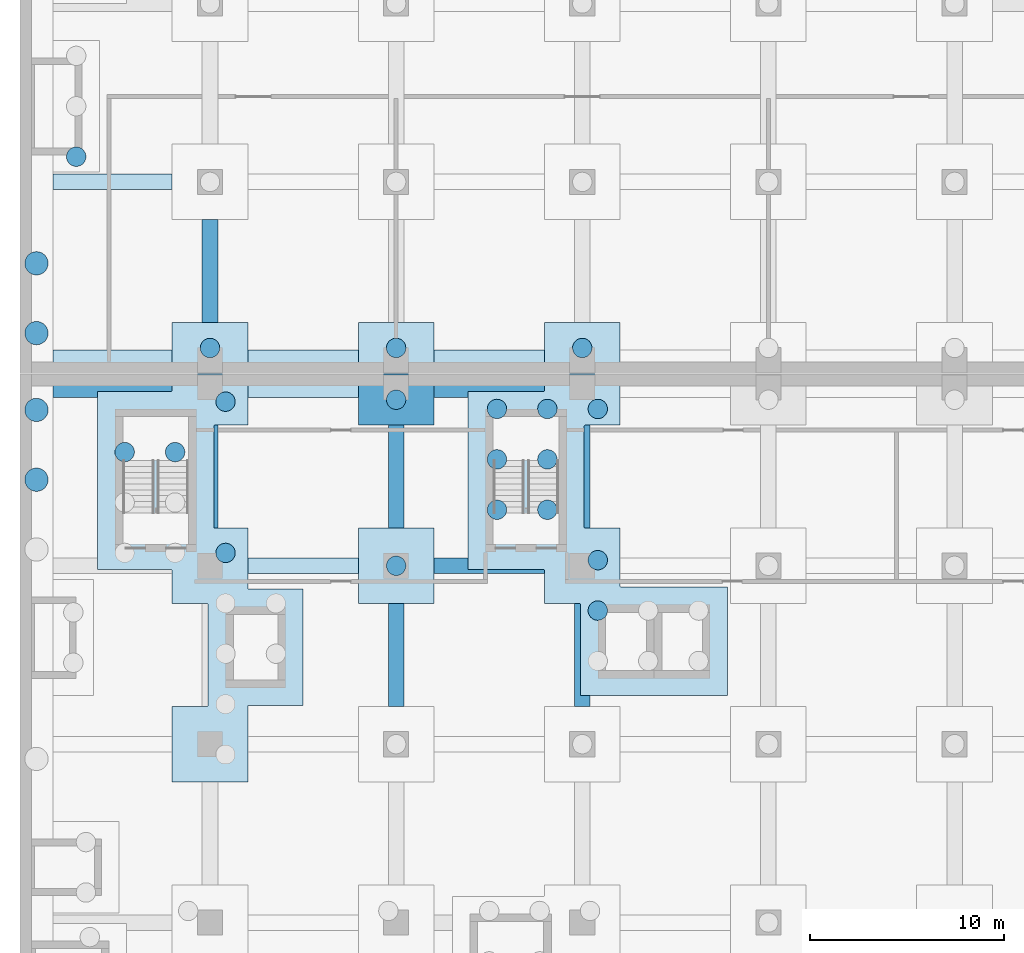
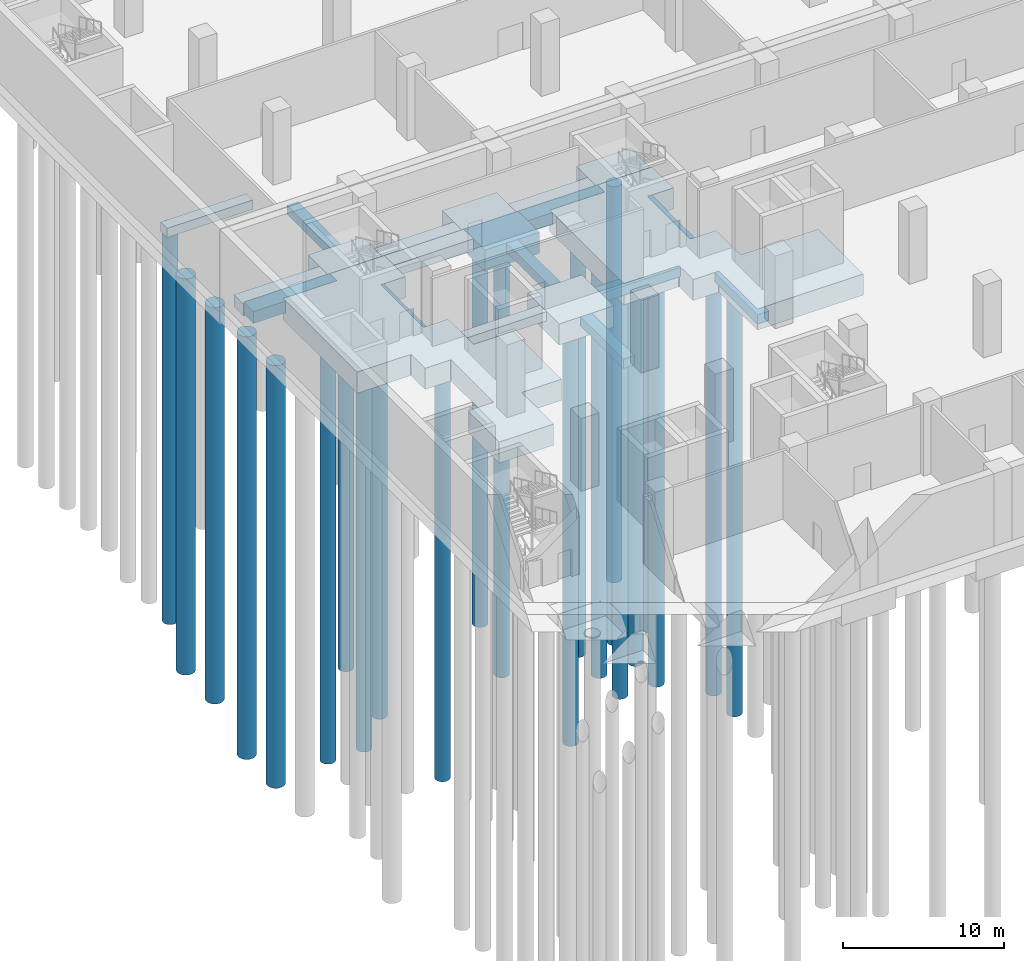
# One storey, part 3 of 33: 23 piles, 22 footings.
"""IFC4 building model written with IfcOpenShell, lengths in metres."""

from ifc_helpers import new_model, si_unit, direction, frame, origin, origin_2d, place, context, subcontext, project, spatial, polyline, circle, outline, extrude, material, layer, layer_set, material_profile, profile_set, type_object, element, save


model = new_model("IFC4")

# Units and contexts
model_context = context("Model", 3, precision=1e-05, world=origin(), true_north=direction((0.0, 1.0)))
body_context = subcontext(model_context, "Body", "Model", "MODEL_VIEW")
ifc_project = project(units=[si_unit("LENGTHUNIT", "METRE"), si_unit("AREAUNIT", "SQUARE_METRE"), si_unit("VOLUMEUNIT", "CUBIC_METRE"), si_unit("PLANEANGLEUNIT", "RADIAN"), si_unit("MASSUNIT", "GRAM", prefix="KILO")], contexts=[model_context])

# Site, building, storey
site_placement = place(None, origin())
site = spatial("IfcSite", under=ifc_project, at=site_placement, CompositionType="ELEMENT")
building_placement = place(site_placement, origin())
building = spatial("IfcBuilding", under=site, at=building_placement, Name="Nzadi Deep Aquarium and Research Tower", CompositionType="ELEMENT")
storey_placement = place(building_placement, frame((0.0, 0.0, -5.5)))
storey = spatial("IfcBuildingStorey", under=building, at=storey_placement, Name="B1", CompositionType="ELEMENT", Elevation=-5.5)

# Piles
ifc_material_1 = material(Name="Concrete C40/50", Category="concrete")
ifc_material_profile_1 = material_profile(ifc_material_1, circle(Radius=0.5, at=origin_2d()))
ifc_profile_set_1 = profile_set([ifc_material_profile_1], Name="Concrete C40/50")
pile_type_1 = type_object("IfcPileType", Name="Bored pile D1000", PredefinedType="BORED", material=ifc_profile_set_1)
for number, where, z_axis, x_axis, name in (
    (1, (5.199951171875, 42.6650390625, -2.10009765625), (0.0, 0.0, -1.0), (1.0, 0.0, 0.0), "P-Z1-17-3"),
    (2, (7.800048828125, 42.6650390625, -2.10009765625), (0.0, 0.0, -1.0), (1.0, 0.0, 0.0), "P-Z1-17-6"),
    (3, (10.39990234375, 37.465087890625, -2.10009765625), (0.0, 0.0, -1.0), (1.0, 0.0, 0.0), "P-Z1-17-11"),
    (4, (10.39990234375, 45.26513671875, -2.10009765625), (0.0, 0.0, -1.0), (1.0, 0.0, 0.0), "P-Z1-17-12"),
    (5, (24.39990234375, 39.68994140625, -2.10009765625), (0.0, 0.0, -1.0), (1.0, 0.0, 0.0), "P-Z1-23-1"),
    (6, (24.39990234375, 42.2900390625, -2.10009765625), (0.0, 0.0, -1.0), (1.0, 0.0, 0.0), "P-Z1-23-2"),
    (7, (24.39990234375, 44.89013671875, -2.10009765625), (0.0, 0.0, -1.0), (1.0, 0.0, 0.0), "P-Z1-23-3"),
    (8, (27.0, 39.68994140625, -2.10009765625), (0.0, 0.0, -1.0), (1.0, 0.0, 0.0), "P-Z1-23-4"),
    (9, (27.0, 42.2900390625, -2.10009765625), (0.0, 0.0, -1.0), (1.0, 0.0, 0.0), "P-Z1-23-5"),
    (10, (27.0, 44.89013671875, -2.10009765625), (0.0, 0.0, -1.0), (1.0, 0.0, 0.0), "P-Z1-23-6"),
    (11, (29.599853515625, 34.489990234375, -2.10009765625), (0.0, 0.0, -1.0), (1.0, 0.0, 0.0), "P-Z1-23-8"),
    (12, (29.599853515625, 37.090087890625, -2.10009765625), (0.0, 0.0, -1.0), (1.0, 0.0, 0.0), "P-Z1-23-9"),
    (13, (29.599853515625, 44.89013671875, -2.10009765625), (0.0, 0.0, -1.0), (1.0, 0.0, 0.0), "P-Z1-23-10"),
    (14, (19.199951171875, 36.800048828125, -2.10009765625), (0.0, 0.0, -1.0), (1.0, 0.0, 0.0), "P-Z1-24-1"),
    (15, (19.2001953125, 45.364990234375, -2.10009765625), (0.0, 0.0, -1.0), (1.0, 0.0, 0.0), "P-Z1-27-1"),
):
    element("IfcPile", number, at=place(storey_placement, frame(where, z_axis=z_axis, x_axis=x_axis)), inside=storey, type_object=pile_type_1, Name=name, PredefinedType="BORED", context=body_context, shape_type="SweptSolid", body=[
        extrude(circle(Radius=0.5, at=origin_2d()), origin(), (0.0, 0.0, 1.0), 32.0),
    ])
for number, where, z_axis, x_axis, name in (
    (16, (9.599853515625, 48.034912109375, -1.89990234375), (0.0, 0.0, -1.0), (1.0, 0.0, 0.0), "P-Z2-01-1"),
    (17, (19.199951171875, 48.034912109375, -1.89990234375), (0.0, 0.0, -1.0), (1.0, 0.0, 0.0), "P-Z2-02-1"),
    (18, (28.7998046875, 48.034912109375, -1.89990234375), (0.0, 0.0, -1.0), (1.0, 0.0, 0.0), "P-Z2-03-1"),
    (19, (2.699951171875, 57.89990234375, -1.89990234375), (0.0, 0.0, -1.0), (1.0, 0.0, 0.0), "P-Z2-11-1"),
):
    element("IfcPile", number, at=place(storey_placement, frame(where, z_axis=z_axis, x_axis=x_axis)), inside=storey, type_object=pile_type_1, Name=name, PredefinedType="BORED", context=body_context, shape_type="SweptSolid", body=[
        extrude(circle(Radius=0.5, at=origin_2d()), origin(), (0.0, 0.0, 1.0), 30.0),
    ])
ifc_material_2 = material(Name="Concrete C40/50", Category="concrete")
ifc_material_profile_2 = material_profile(ifc_material_2, circle(Radius=0.60009765625, at=origin_2d()))
ifc_profile_set_2 = profile_set([ifc_material_profile_2], Name="Concrete C40/50")
pile_type_2 = type_object("IfcPileType", Name="Bored pile D1200", PredefinedType="BORED", material=ifc_profile_set_2)
for number, where, z_axis, x_axis, name in (
    (20, (0.64990234375, 41.239990234375, -1.39990234375), (0.0, 0.0, -1.0), (1.0, 0.0, 0.0), "P-Z1-Z1-W-3"),
    (21, (0.64990234375, 44.840087890625, -1.39990234375), (0.0, 0.0, -1.0), (1.0, 0.0, 0.0), "P-Z1-Z1-W-4"),
):
    element("IfcPile", number, at=place(storey_placement, frame(where, z_axis=z_axis, x_axis=x_axis)), inside=storey, type_object=pile_type_2, Name=name, PredefinedType="BORED", context=body_context, shape_type="SweptSolid", body=[
        extrude(circle(Radius=0.60009765625, at=origin_2d()), origin(), (0.0, 0.0, 1.0), 32.0),
    ])
for number, where, z_axis, x_axis, name in (
    (22, (0.64990234375, 48.800048828125, -1.60009765625), (0.0, 0.0, -1.0), (1.0, 0.0, 0.0), "P-Z2-Z2-W-1"),
    (23, (0.64990234375, 52.39990234375, -1.60009765625), (0.0, 0.0, -1.0), (1.0, 0.0, 0.0), "P-Z2-Z2-W-2"),
):
    element("IfcPile", number, at=place(storey_placement, frame(where, z_axis=z_axis, x_axis=x_axis)), inside=storey, type_object=pile_type_2, Name=name, PredefinedType="BORED", context=body_context, shape_type="SweptSolid", body=[
        extrude(circle(Radius=0.60009765625, at=origin_2d()), origin(), (0.0, 0.0, 1.0), 30.0),
    ])

# Footings
ifc_material_3 = material(Name="Concrete C40/50", Category="concrete")
ifc_layer_1 = layer(ifc_material_3, 0.699951171875)
ifc_layer_set_1 = layer_set([ifc_layer_1], Name="Concrete C40/50")
footing_type_1 = type_object("IfcFootingType", Name="RC ground beam 700", PredefinedType="FOOTING_BEAM", material=ifc_layer_set_1)
footing_1_placement = place(storey_placement, frame((0.0, 0.0, -1.300048828125)))
element("IfcFooting", 24, at=footing_1_placement, inside=storey, type_object=footing_type_1, Name="SF-Z1-TX5-2", PredefinedType="FOOTING_BEAM", context=body_context, shape_type="SweptSolid", body=[
    extrude(outline(polyline([(17.25, 37.199951171875), (11.550048828125, 37.199951171875), (11.550048828125, 36.39990234375), (17.25, 36.39990234375), (17.25, 37.199951171875)])), origin(), (0.0, 0.0, 1.0), 0.699951171875),
])
footing_2_placement = place(storey_placement, frame((0.0, 0.0, -1.300048828125)))
element("IfcFooting", 25, at=footing_2_placement, inside=storey, type_object=footing_type_1, Name="SF-Z1-TX5-3", PredefinedType="FOOTING_BEAM", context=body_context, shape_type="SweptSolid", body=[
    extrude(outline(polyline([(22.89990234375, 37.199951171875), (21.14990234375, 37.199951171875), (21.14990234375, 36.39990234375), (26.85009765625, 36.39990234375), (26.85009765625, 36.550048828125), (26.849853515625, 36.554931640625), (26.84912109375, 36.559814453125), (26.847900390625, 36.564453125), (26.84619140625, 36.569091796875), (26.843994140625, 36.573486328125), (26.841552734375, 36.577880859375), (26.838623046875, 36.581787109375), (26.83544921875, 36.58544921875), (26.831787109375, 36.588623046875), (26.827880859375, 36.591552734375), (26.823486328125, 36.593994140625), (26.819091796875, 36.59619140625), (26.814453125, 36.597900390625), (26.809814453125, 36.59912109375), (26.804931640625, 36.599853515625), (26.800048828125, 36.60009765625), (22.901123046875, 36.60009765625), (22.900146484375, 36.60009765625), (22.89990234375, 36.601318359375), (22.89990234375, 37.199951171875)])), origin(), (0.0, 0.0, 1.0), 0.699951171875),
])
footing_3_placement = place(storey_placement, frame((0.0, 0.0, -1.300048828125)))
element("IfcFooting", 26, at=footing_3_placement, inside=storey, type_object=footing_type_1, Name="SF-Z1-TYB-5", PredefinedType="FOOTING_BEAM", context=body_context, shape_type="SweptSolid", body=[
    extrude(outline(polyline([(10.0, 38.75), (10.0, 44.050048828125), (9.85009765625, 44.050048828125), (9.84521484375, 44.0498046875), (9.84033203125, 44.049072265625), (9.83544921875, 44.0478515625), (9.830810546875, 44.046142578125), (9.826416015625, 44.044189453125), (9.822265625, 44.04150390625), (9.818359375, 44.03857421875), (9.814697265625, 44.035400390625), (9.811279296875, 44.03173828125), (9.808349609375, 44.02783203125), (9.805908203125, 44.023681640625), (9.8037109375, 44.01904296875), (9.80224609375, 44.014404296875), (9.801025390625, 44.009765625), (9.80029296875, 44.0048828125), (9.800048828125, 44.0), (9.800048828125, 38.800048828125), (9.80029296875, 38.795166015625), (9.801025390625, 38.790283203125), (9.80224609375, 38.785400390625), (9.8037109375, 38.78076171875), (9.805908203125, 38.7763671875), (9.808349609375, 38.772216796875), (9.811279296875, 38.768310546875), (9.814697265625, 38.7646484375), (9.818359375, 38.76123046875), (9.822265625, 38.758544921875), (9.826416015625, 38.755859375), (9.830810546875, 38.75390625), (9.83544921875, 38.752197265625), (9.84033203125, 38.7509765625), (9.84521484375, 38.750244140625), (9.85009765625, 38.75), (10.0, 38.75)])), origin(), (0.0, 0.0, 1.0), 0.699951171875),
])
footing_4_placement = place(storey_placement, frame((0.0, 0.0, -1.300048828125)))
element("IfcFooting", 27, at=footing_4_placement, inside=storey, type_object=footing_type_1, Name="SF-Z1-TYC-4", PredefinedType="FOOTING_BEAM", context=body_context, shape_type="SweptSolid", body=[
    extrude(outline(polyline([(19.60009765625, 29.550048828125), (19.60009765625, 34.85009765625), (18.800048828125, 34.85009765625), (18.800048828125, 29.550048828125), (19.60009765625, 29.550048828125)])), origin(), (0.0, 0.0, 1.0), 0.699951171875),
])
footing_5_placement = place(storey_placement, frame((0.0, 0.0, -1.300048828125)))
element("IfcFooting", 28, at=footing_5_placement, inside=storey, type_object=footing_type_1, Name="SF-Z1-TYC-5", PredefinedType="FOOTING_BEAM", context=body_context, shape_type="SweptSolid", body=[
    extrude(outline(polyline([(19.60009765625, 38.75), (19.60009765625, 44.050048828125), (18.800048828125, 44.050048828125), (18.800048828125, 38.75), (19.60009765625, 38.75)])), origin(), (0.0, 0.0, 1.0), 0.699951171875),
])
footing_6_placement = place(storey_placement, frame((0.0, 0.0, -1.300048828125)))
element("IfcFooting", 29, at=footing_6_placement, inside=storey, type_object=footing_type_1, Name="SF-Z1-TYD-4", PredefinedType="FOOTING_BEAM", context=body_context, shape_type="SweptSolid", body=[
    extrude(outline(polyline([(29.199951171875, 29.550048828125), (29.199951171875, 30.10009765625), (28.701171875, 30.10009765625), (28.699951171875, 30.10009765625), (28.699951171875, 30.101318359375), (28.699951171875, 34.800048828125), (28.69970703125, 34.804931640625), (28.698974609375, 34.809814453125), (28.69775390625, 34.814453125), (28.6962890625, 34.819091796875), (28.694091796875, 34.823486328125), (28.691650390625, 34.827880859375), (28.688720703125, 34.831787109375), (28.685302734375, 34.83544921875), (28.681640625, 34.838623046875), (28.677734375, 34.841552734375), (28.673583984375, 34.843994140625), (28.669189453125, 34.84619140625), (28.66455078125, 34.847900390625), (28.65966796875, 34.84912109375), (28.65478515625, 34.849853515625), (28.64990234375, 34.85009765625), (28.39990234375, 34.85009765625), (28.39990234375, 29.550048828125), (29.199951171875, 29.550048828125)])), origin(), (0.0, 0.0, 1.0), 0.699951171875),
])
footing_7_placement = place(storey_placement, frame((0.0, 0.0, -1.300048828125)))
element("IfcFooting", 30, at=footing_7_placement, inside=storey, type_object=footing_type_1, Name="SF-Z1-TYD-5", PredefinedType="FOOTING_BEAM", context=body_context, shape_type="SweptSolid", body=[
    extrude(outline(polyline([(29.199951171875, 38.75), (29.199951171875, 44.050048828125), (28.949951171875, 44.050048828125), (28.945068359375, 44.0498046875), (28.940185546875, 44.049072265625), (28.935546875, 44.0478515625), (28.930908203125, 44.046142578125), (28.926513671875, 44.044189453125), (28.922119140625, 44.04150390625), (28.918212890625, 44.03857421875), (28.91455078125, 44.035400390625), (28.911376953125, 44.03173828125), (28.908447265625, 44.02783203125), (28.906005859375, 44.023681640625), (28.90380859375, 44.01904296875), (28.902099609375, 44.014404296875), (28.90087890625, 44.009765625), (28.900146484375, 44.0048828125), (28.89990234375, 44.0), (28.89990234375, 38.800048828125), (28.900146484375, 38.795166015625), (28.90087890625, 38.790283203125), (28.902099609375, 38.785400390625), (28.90380859375, 38.78076171875), (28.906005859375, 38.7763671875), (28.908447265625, 38.772216796875), (28.911376953125, 38.768310546875), (28.91455078125, 38.7646484375), (28.918212890625, 38.76123046875), (28.922119140625, 38.758544921875), (28.926513671875, 38.755859375), (28.930908203125, 38.75390625), (28.935546875, 38.752197265625), (28.940185546875, 38.7509765625), (28.945068359375, 38.750244140625), (28.949951171875, 38.75), (29.199951171875, 38.75)])), origin(), (0.0, 0.0, 1.0), 0.699951171875),
])
footing_8_placement = place(storey_placement, frame((0.0, 0.0, -1.5)))
element("IfcFooting", 31, at=footing_8_placement, inside=storey, type_object=footing_type_1, Name="SF-Z2-TX8-1", PredefinedType="FOOTING_BEAM", context=body_context, shape_type="SweptSolid", body=[
    extrude(outline(polyline([(7.64990234375, 57.0), (1.5, 57.0), (1.5, 56.199951171875), (7.64990234375, 56.199951171875), (7.64990234375, 57.0)])), origin(), (0.0, 0.0, 1.0), 0.699951171875),
])
footing_9_placement = place(storey_placement, frame((0.0, 0.0, -1.5)))
element("IfcFooting", 32, at=footing_9_placement, inside=storey, type_object=footing_type_1, Name="SF-Z2-TYB-1", PredefinedType="FOOTING_BEAM", context=body_context, shape_type="SweptSolid", body=[
    extrude(outline(polyline([(10.0, 49.35009765625), (10.0, 54.64990234375), (9.199951171875, 54.64990234375), (9.199951171875, 49.35009765625), (10.0, 49.35009765625)])), origin(), (0.0, 0.0, 1.0), 0.699951171875),
])
ifc_material_4 = material(Name="Concrete C40/50", Category="concrete")
ifc_layer_2 = layer(ifc_material_4, 1.199951171875)
ifc_layer_set_2 = layer_set([ifc_layer_2], Name="Concrete C40/50")
footing_type_2 = type_object("IfcFootingType", Name="RC pile cap 1200", PredefinedType="PILE_CAP", material=ifc_layer_set_2)
footing_10_placement = place(storey_placement, frame((0.0, 0.0, -2.0)))
element("IfcFooting", 33, at=footing_10_placement, inside=storey, type_object=footing_type_2, Name="PC-Z2-01", PredefinedType="PILE_CAP", context=body_context, shape_type="SweptSolid", body=[
    extrude(outline(polyline([(7.64990234375, 49.348876953125), (7.64990234375, 46.719970703125), (11.550048828125, 46.719970703125), (11.550048828125, 49.348876953125), (11.550048828125, 49.349853515625), (11.548828125, 49.35009765625), (7.651123046875, 49.35009765625), (7.650146484375, 49.349853515625), (7.64990234375, 49.348876953125)])), origin(), (0.0, 0.0, 1.0), 1.199951171875),
])
footing_11_placement = place(storey_placement, frame((0.0, 0.0, -2.0)))
element("IfcFooting", 34, at=footing_11_placement, inside=storey, type_object=footing_type_2, Name="PC-Z2-02", PredefinedType="PILE_CAP", context=body_context, shape_type="SweptSolid", body=[
    extrude(outline(polyline([(17.25, 49.348876953125), (17.25, 46.719970703125), (21.14990234375, 46.719970703125), (21.14990234375, 49.348876953125), (21.14990234375, 49.349853515625), (21.148681640625, 49.35009765625), (17.251220703125, 49.35009765625), (17.25, 49.349853515625), (17.25, 49.348876953125)])), origin(), (0.0, 0.0, 1.0), 1.199951171875),
])
footing_12_placement = place(storey_placement, frame((0.0, 0.0, -2.0)))
element("IfcFooting", 35, at=footing_12_placement, inside=storey, type_object=footing_type_2, Name="PC-Z2-03", PredefinedType="PILE_CAP", context=body_context, shape_type="SweptSolid", body=[
    extrude(outline(polyline([(26.85009765625, 49.348876953125), (26.85009765625, 46.719970703125), (30.75, 46.719970703125), (30.75, 49.348876953125), (30.75, 49.349853515625), (30.748779296875, 49.35009765625), (26.851318359375, 49.35009765625), (26.85009765625, 49.349853515625), (26.85009765625, 49.348876953125)])), origin(), (0.0, 0.0, 1.0), 1.199951171875),
])
ifc_material_5 = material(Name="Concrete C40/50", Category="concrete")
ifc_layer_3 = layer(ifc_material_5, 1.60009765625)
ifc_layer_set_3 = layer_set([ifc_layer_3], Name="Concrete C40/50")
footing_type_3 = type_object("IfcFootingType", Name="RC pile cap 1600", PredefinedType="PILE_CAP", material=ifc_layer_set_3)
footing_13_placement = place(storey_placement, frame((0.0, 0.0, -2.199951171875)))
element("IfcFooting", 36, at=footing_13_placement, inside=storey, type_object=footing_type_3, Name="PC-Z1-17", PredefinedType="PILE_CAP", context=body_context, shape_type="SweptSolid", body=[
    extrude(outline(polyline([(3.800048828125, 45.798828125), (3.800048828125, 36.601318359375), (3.800048828125, 36.60009765625), (3.80126953125, 36.60009765625), (7.60009765625, 36.60009765625), (7.60498046875, 36.599853515625), (7.60986328125, 36.59912109375), (7.614501953125, 36.597900390625), (7.619140625, 36.59619140625), (7.62353515625, 36.593994140625), (7.627685546875, 36.591552734375), (7.6318359375, 36.588623046875), (7.63525390625, 36.58544921875), (7.638671875, 36.581787109375), (7.6416015625, 36.577880859375), (7.64404296875, 36.573486328125), (7.646240234375, 36.569091796875), (7.64794921875, 36.564453125), (7.64892578125, 36.559814453125), (7.649658203125, 36.554931640625), (7.64990234375, 36.550048828125), (7.64990234375, 34.851318359375), (7.650146484375, 34.85009765625), (7.651123046875, 34.85009765625), (9.449951171875, 34.85009765625), (9.454833984375, 34.849853515625), (9.459716796875, 34.84912109375), (9.464599609375, 34.847900390625), (9.46923828125, 34.84619140625), (9.4736328125, 34.843994140625), (9.477783203125, 34.841552734375), (9.481689453125, 34.838623046875), (9.4853515625, 34.83544921875), (9.48876953125, 34.831787109375), (9.491455078125, 34.827880859375), (9.494140625, 34.823486328125), (9.49609375, 34.819091796875), (9.497802734375, 34.814453125), (9.4990234375, 34.809814453125), (9.499755859375, 34.804931640625), (9.5, 34.800048828125), (9.5, 29.60009765625), (9.499755859375, 29.59521484375), (9.4990234375, 29.59033203125), (9.497802734375, 29.58544921875), (9.49609375, 29.580810546875), (9.494140625, 29.576416015625), (9.491455078125, 29.572265625), (9.48876953125, 29.568359375), (9.4853515625, 29.564697265625), (9.481689453125, 29.561279296875), (9.477783203125, 29.558349609375), (9.4736328125, 29.555908203125), (9.46923828125, 29.5537109375), (9.464599609375, 29.55224609375), (9.459716796875, 29.551025390625), (9.454833984375, 29.55029296875), (9.449951171875, 29.550048828125), (7.651123046875, 29.550048828125), (7.650146484375, 29.550048828125), (7.64990234375, 29.548828125), (7.64990234375, 25.651123046875), (7.650146484375, 25.650146484375), (7.651123046875, 25.64990234375), (11.548828125, 25.64990234375), (11.550048828125, 25.650146484375), (11.550048828125, 25.651123046875), (11.550048828125, 29.550048828125), (11.55029296875, 29.554931640625), (11.551025390625, 29.559814453125), (11.55224609375, 29.564453125), (11.5537109375, 29.569091796875), (11.555908203125, 29.573486328125), (11.558349609375, 29.577880859375), (11.561279296875, 29.581787109375), (11.564697265625, 29.58544921875), (11.568359375, 29.588623046875), (11.572265625, 29.591552734375), (11.576416015625, 29.593994140625), (11.580810546875, 29.59619140625), (11.58544921875, 29.597900390625), (11.59033203125, 29.59912109375), (11.59521484375, 29.599853515625), (11.60009765625, 29.60009765625), (14.398681640625, 29.60009765625), (14.39990234375, 29.60009765625), (14.39990234375, 29.601318359375), (14.39990234375, 35.598876953125), (14.39990234375, 35.599853515625), (14.398681640625, 35.60009765625), (11.60009765625, 35.60009765625), (11.59521484375, 35.600341796875), (11.59033203125, 35.60107421875), (11.58544921875, 35.60205078125), (11.580810546875, 35.603759765625), (11.576416015625, 35.60595703125), (11.572265625, 35.6083984375), (11.568359375, 35.611328125), (11.564697265625, 35.61474609375), (11.561279296875, 35.6181640625), (11.558349609375, 35.622314453125), (11.555908203125, 35.62646484375), (11.5537109375, 35.630859375), (11.55224609375, 35.635498046875), (11.551025390625, 35.64013671875), (11.55029296875, 35.64501953125), (11.550048828125, 35.64990234375), (11.550048828125, 38.748779296875), (11.550048828125, 38.75), (11.548828125, 38.75), (9.85009765625, 38.75), (9.84521484375, 38.750244140625), (9.84033203125, 38.7509765625), (9.83544921875, 38.752197265625), (9.830810546875, 38.75390625), (9.826416015625, 38.755859375), (9.822265625, 38.758544921875), (9.818359375, 38.76123046875), (9.814697265625, 38.7646484375), (9.811279296875, 38.768310546875), (9.808349609375, 38.772216796875), (9.805908203125, 38.7763671875), (9.8037109375, 38.78076171875), (9.80224609375, 38.785400390625), (9.801025390625, 38.790283203125), (9.80029296875, 38.795166015625), (9.800048828125, 38.800048828125), (9.800048828125, 44.0), (9.80029296875, 44.0048828125), (9.801025390625, 44.009765625), (9.80224609375, 44.014404296875), (9.8037109375, 44.01904296875), (9.805908203125, 44.023681640625), (9.808349609375, 44.02783203125), (9.811279296875, 44.03173828125), (9.814697265625, 44.035400390625), (9.818359375, 44.03857421875), (9.822265625, 44.04150390625), (9.826416015625, 44.044189453125), (9.830810546875, 44.046142578125), (9.83544921875, 44.0478515625), (9.84033203125, 44.049072265625), (9.84521484375, 44.0498046875), (9.85009765625, 44.050048828125), (11.548828125, 44.050048828125), (11.550048828125, 44.050048828125), (11.550048828125, 44.05126953125), (11.550048828125, 46.679931640625), (7.64990234375, 46.679931640625), (7.64990234375, 45.85009765625), (7.649658203125, 45.84521484375), (7.64892578125, 45.84033203125), (7.64794921875, 45.83544921875), (7.646240234375, 45.830810546875), (7.64404296875, 45.826416015625), (7.6416015625, 45.822265625), (7.638671875, 45.818359375), (7.63525390625, 45.814697265625), (7.6318359375, 45.811279296875), (7.627685546875, 45.808349609375), (7.62353515625, 45.805908203125), (7.619140625, 45.8037109375), (7.614501953125, 45.80224609375), (7.60986328125, 45.801025390625), (7.60498046875, 45.80029296875), (7.60009765625, 45.800048828125), (3.80126953125, 45.800048828125), (3.800048828125, 45.800048828125), (3.800048828125, 45.798828125)])), origin(), (0.0, 0.0, 1.0), 1.599853515625),
])
footing_14_placement = place(storey_placement, frame((0.0, 0.0, -2.199951171875)))
element("IfcFooting", 37, at=footing_14_placement, inside=storey, type_object=footing_type_3, Name="PC-Z1-23", PredefinedType="PILE_CAP", context=body_context, shape_type="SweptSolid", body=[
    extrude(outline(polyline([(22.89990234375, 45.798828125), (22.89990234375, 36.601318359375), (22.900146484375, 36.60009765625), (22.901123046875, 36.60009765625), (26.800048828125, 36.60009765625), (26.804931640625, 36.599853515625), (26.809814453125, 36.59912109375), (26.814453125, 36.597900390625), (26.819091796875, 36.59619140625), (26.823486328125, 36.593994140625), (26.827880859375, 36.591552734375), (26.831787109375, 36.588623046875), (26.83544921875, 36.58544921875), (26.838623046875, 36.581787109375), (26.841552734375, 36.577880859375), (26.843994140625, 36.573486328125), (26.84619140625, 36.569091796875), (26.847900390625, 36.564453125), (26.84912109375, 36.559814453125), (26.849853515625, 36.554931640625), (26.85009765625, 36.550048828125), (26.85009765625, 34.851318359375), (26.85009765625, 34.85009765625), (26.851318359375, 34.85009765625), (28.64990234375, 34.85009765625), (28.65478515625, 34.849853515625), (28.65966796875, 34.84912109375), (28.66455078125, 34.847900390625), (28.669189453125, 34.84619140625), (28.673583984375, 34.843994140625), (28.677734375, 34.841552734375), (28.681640625, 34.838623046875), (28.685302734375, 34.83544921875), (28.688720703125, 34.831787109375), (28.691650390625, 34.827880859375), (28.694091796875, 34.823486328125), (28.6962890625, 34.819091796875), (28.69775390625, 34.814453125), (28.698974609375, 34.809814453125), (28.69970703125, 34.804931640625), (28.699951171875, 34.800048828125), (28.699951171875, 30.101318359375), (28.699951171875, 30.10009765625), (28.701171875, 30.10009765625), (36.298828125, 30.10009765625), (36.300048828125, 30.10009765625), (36.300048828125, 30.101318359375), (36.300048828125, 35.69873046875), (36.300048828125, 35.699951171875), (36.298828125, 35.699951171875), (30.800048828125, 35.699951171875), (30.795166015625, 35.7001953125), (30.790283203125, 35.700927734375), (30.785400390625, 35.7021484375), (30.78076171875, 35.703857421875), (30.7763671875, 35.705810546875), (30.772216796875, 35.70849609375), (30.768310546875, 35.71142578125), (30.7646484375, 35.714599609375), (30.76123046875, 35.71826171875), (30.758544921875, 35.72216796875), (30.755859375, 35.726318359375), (30.75390625, 35.73095703125), (30.752197265625, 35.735595703125), (30.7509765625, 35.740234375), (30.750244140625, 35.7451171875), (30.75, 35.75), (30.75, 38.748779296875), (30.75, 38.75), (30.748779296875, 38.75), (28.949951171875, 38.75), (28.945068359375, 38.750244140625), (28.940185546875, 38.7509765625), (28.935546875, 38.752197265625), (28.930908203125, 38.75390625), (28.926513671875, 38.755859375), (28.922119140625, 38.758544921875), (28.918212890625, 38.76123046875), (28.91455078125, 38.7646484375), (28.911376953125, 38.768310546875), (28.908447265625, 38.772216796875), (28.906005859375, 38.7763671875), (28.90380859375, 38.78076171875), (28.902099609375, 38.785400390625), (28.90087890625, 38.790283203125), (28.900146484375, 38.795166015625), (28.89990234375, 38.800048828125), (28.89990234375, 44.0), (28.900146484375, 44.0048828125), (28.90087890625, 44.009765625), (28.902099609375, 44.014404296875), (28.90380859375, 44.01904296875), (28.906005859375, 44.023681640625), (28.908447265625, 44.02783203125), (28.911376953125, 44.03173828125), (28.91455078125, 44.035400390625), (28.918212890625, 44.03857421875), (28.922119140625, 44.04150390625), (28.926513671875, 44.044189453125), (28.930908203125, 44.046142578125), (28.935546875, 44.0478515625), (28.940185546875, 44.049072265625), (28.945068359375, 44.0498046875), (28.949951171875, 44.050048828125), (30.748779296875, 44.050048828125), (30.75, 44.050048828125), (30.75, 44.05126953125), (30.75, 46.679931640625), (26.85009765625, 46.679931640625), (26.85009765625, 45.85009765625), (26.849853515625, 45.84521484375), (26.84912109375, 45.84033203125), (26.847900390625, 45.83544921875), (26.84619140625, 45.830810546875), (26.843994140625, 45.826416015625), (26.841552734375, 45.822265625), (26.838623046875, 45.818359375), (26.83544921875, 45.814697265625), (26.831787109375, 45.811279296875), (26.827880859375, 45.808349609375), (26.823486328125, 45.805908203125), (26.819091796875, 45.8037109375), (26.814453125, 45.80224609375), (26.809814453125, 45.801025390625), (26.804931640625, 45.80029296875), (26.800048828125, 45.800048828125), (22.901123046875, 45.800048828125), (22.900146484375, 45.800048828125), (22.89990234375, 45.798828125)])), origin(), (0.0, 0.0, 1.0), 1.599853515625),
])
footing_15_placement = place(storey_placement, frame((0.0, 0.0, -2.199951171875)))
element("IfcFooting", 38, at=footing_15_placement, inside=storey, type_object=footing_type_3, Name="PC-Z1-24", PredefinedType="PILE_CAP", context=body_context, shape_type="SweptSolid", body=[
    extrude(outline(polyline([(17.25, 38.748779296875), (17.25, 34.851318359375), (17.25, 34.85009765625), (17.251220703125, 34.85009765625), (21.148681640625, 34.85009765625), (21.14990234375, 34.85009765625), (21.14990234375, 34.851318359375), (21.14990234375, 38.748779296875), (21.14990234375, 38.75), (21.148681640625, 38.75), (17.251220703125, 38.75), (17.25, 38.75), (17.25, 38.748779296875)])), origin(), (0.0, 0.0, 1.0), 1.599853515625),
])
footing_16_placement = place(storey_placement, frame((0.0, 0.0, -2.199951171875)))
element("IfcFooting", 39, at=footing_16_placement, inside=storey, type_object=footing_type_3, Name="PC-Z1-27", PredefinedType="PILE_CAP", context=body_context, shape_type="SweptSolid", body=[
    extrude(outline(polyline([(17.25, 46.679931640625), (17.25, 44.05126953125), (17.25, 44.050048828125), (17.251220703125, 44.050048828125), (21.148681640625, 44.050048828125), (21.14990234375, 44.050048828125), (21.14990234375, 44.05126953125), (21.14990234375, 46.679931640625), (17.25, 46.679931640625)])), origin(), (0.0, 0.0, 1.0), 1.599853515625),
])
ifc_material_6 = material(Name="Concrete C40/50", Category="concrete")
ifc_layer_4 = layer(ifc_material_6, 0.89990234375)
ifc_layer_set_4 = layer_set([ifc_layer_4], Name="Concrete C40/50")
footing_type_4 = type_object("IfcFootingType", Name="RC strip footing 900", PredefinedType="STRIP_FOOTING", material=ifc_layer_set_4)
footing_17_placement = place(storey_placement, frame((0.0, 0.0, -1.5)))
element("IfcFooting", 40, at=footing_17_placement, inside=storey, type_object=footing_type_4, Name="SF-Z1-N-4", PredefinedType="STRIP_FOOTING", context=body_context, shape_type="SweptSolid", body=[
    extrude(outline(polyline([(26.85009765625, 46.679931640625), (21.14990234375, 46.679931640625), (21.14990234375, 45.47998046875), (22.89990234375, 45.47998046875), (22.89990234375, 45.798828125), (22.900146484375, 45.800048828125), (22.901123046875, 45.800048828125), (26.800048828125, 45.800048828125), (26.804931640625, 45.80029296875), (26.809814453125, 45.801025390625), (26.814453125, 45.80224609375), (26.819091796875, 45.8037109375), (26.823486328125, 45.805908203125), (26.827880859375, 45.808349609375), (26.831787109375, 45.811279296875), (26.83544921875, 45.814697265625), (26.838623046875, 45.818359375), (26.841552734375, 45.822265625), (26.843994140625, 45.826416015625), (26.84619140625, 45.830810546875), (26.847900390625, 45.83544921875), (26.84912109375, 45.84033203125), (26.849853515625, 45.84521484375), (26.85009765625, 45.85009765625), (26.85009765625, 46.679931640625)])), origin(), (0.0, 0.0, 1.0), 0.89990234375),
])
footing_18_placement = place(storey_placement, frame((0.0, 0.0, -1.5)))
element("IfcFooting", 41, at=footing_18_placement, inside=storey, type_object=footing_type_4, Name="SF-Z1-N-5", PredefinedType="STRIP_FOOTING", context=body_context, shape_type="SweptSolid", body=[
    extrude(outline(polyline([(17.25, 46.679931640625), (11.550048828125, 46.679931640625), (11.550048828125, 45.47998046875), (17.25, 45.47998046875), (17.25, 46.679931640625)])), origin(), (0.0, 0.0, 1.0), 0.89990234375),
])
footing_19_placement = place(storey_placement, frame((0.0, 0.0, -1.5)))
element("IfcFooting", 42, at=footing_19_placement, inside=storey, type_object=footing_type_4, Name="SF-Z1-N-6", PredefinedType="STRIP_FOOTING", context=body_context, shape_type="SweptSolid", body=[
    extrude(outline(polyline([(1.5, 45.47998046875), (3.800048828125, 45.47998046875), (3.800048828125, 45.798828125), (3.800048828125, 45.800048828125), (3.80126953125, 45.800048828125), (7.60009765625, 45.800048828125), (7.60498046875, 45.80029296875), (7.60986328125, 45.801025390625), (7.614501953125, 45.80224609375), (7.619140625, 45.8037109375), (7.62353515625, 45.805908203125), (7.627685546875, 45.808349609375), (7.6318359375, 45.811279296875), (7.63525390625, 45.814697265625), (7.638671875, 45.818359375), (7.6416015625, 45.822265625), (7.64404296875, 45.826416015625), (7.646240234375, 45.830810546875), (7.64794921875, 45.83544921875), (7.64892578125, 45.84033203125), (7.649658203125, 45.84521484375), (7.64990234375, 45.85009765625), (7.64990234375, 46.679931640625), (1.5, 46.679931640625), (1.5, 45.47998046875)])), origin(), (0.0, 0.0, 1.0), 0.89990234375),
])
footing_20_placement = place(storey_placement, frame((0.0, 0.0, -1.699951171875)))
element("IfcFooting", 43, at=footing_20_placement, inside=storey, type_object=footing_type_4, Name="SF-Z2-S-4", PredefinedType="STRIP_FOOTING", context=body_context, shape_type="SweptSolid", body=[
    extrude(outline(polyline([(26.85009765625, 47.919921875), (21.14990234375, 47.919921875), (21.14990234375, 46.719970703125), (26.85009765625, 46.719970703125), (26.85009765625, 47.919921875)])), origin(), (0.0, 0.0, 1.0), 0.89990234375),
])
footing_21_placement = place(storey_placement, frame((0.0, 0.0, -1.699951171875)))
element("IfcFooting", 44, at=footing_21_placement, inside=storey, type_object=footing_type_4, Name="SF-Z2-S-5", PredefinedType="STRIP_FOOTING", context=body_context, shape_type="SweptSolid", body=[
    extrude(outline(polyline([(17.25, 47.919921875), (11.550048828125, 47.919921875), (11.550048828125, 46.719970703125), (17.25, 46.719970703125), (17.25, 47.919921875)])), origin(), (0.0, 0.0, 1.0), 0.89990234375),
])
footing_22_placement = place(storey_placement, frame((0.0, 0.0, -1.699951171875)))
element("IfcFooting", 45, at=footing_22_placement, inside=storey, type_object=footing_type_4, Name="SF-Z2-S-6", PredefinedType="STRIP_FOOTING", context=body_context, shape_type="SweptSolid", body=[
    extrude(outline(polyline([(1.5, 46.719970703125), (7.64990234375, 46.719970703125), (7.64990234375, 47.919921875), (1.5, 47.919921875), (1.5, 46.719970703125)])), origin(), (0.0, 0.0, 1.0), 0.89990234375),
])

save(model, "model.ifc")
